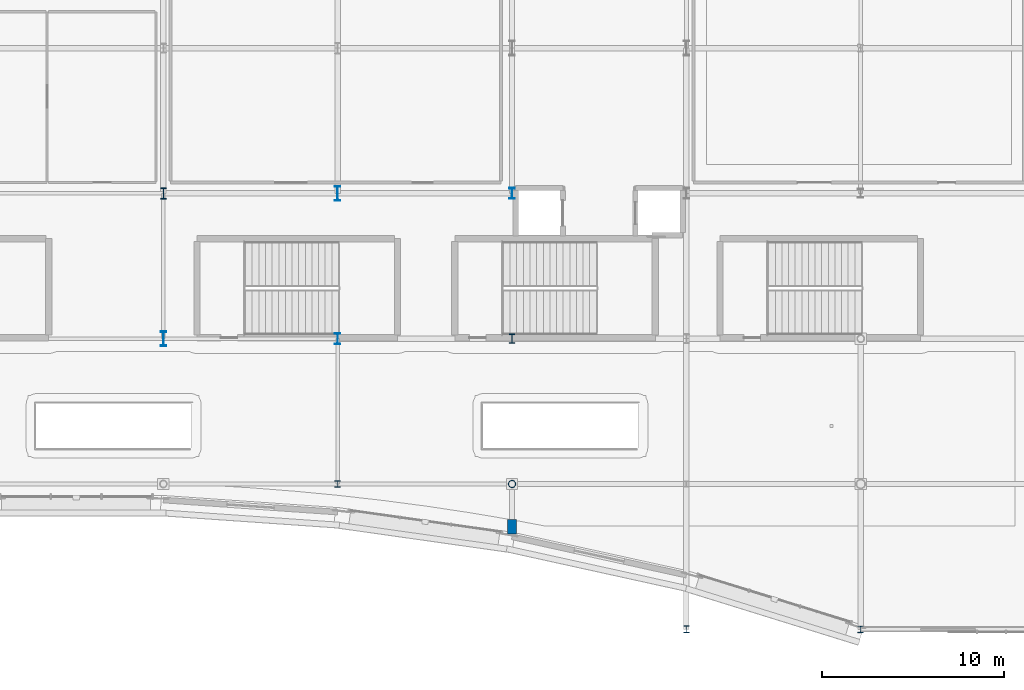
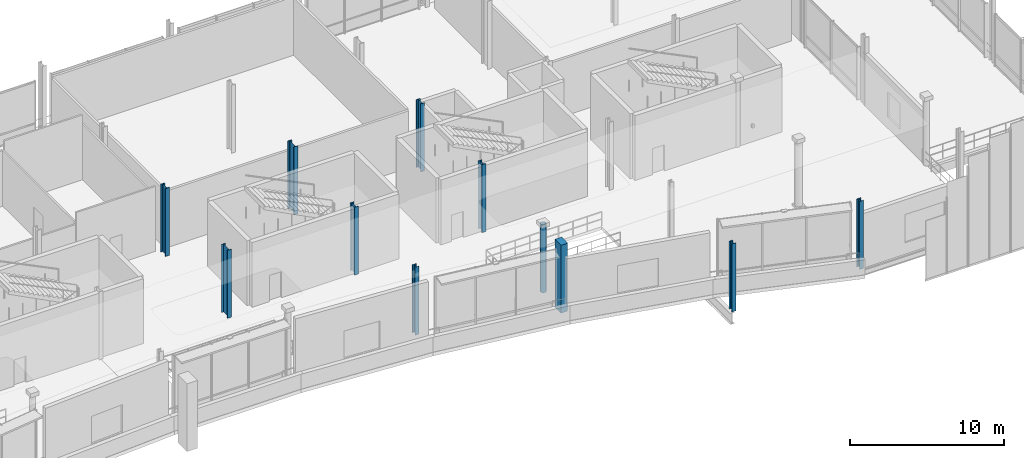
# One storey, part 5 of 129: 11 columns.
"""IFC4 building model written with IfcOpenShell, lengths in metres."""

from ifc_helpers import new_model, si_unit, direction, frame, origin, origin_2d, place, context, subcontext, project, spatial, rectangle, hollow_circle, i_section, extrude, material, material_profile, profile_set, type_object, element, save


model = new_model("IFC4")

# Units and contexts
model_context = context("Model", 3, precision=1e-05, world=origin(), true_north=direction((0.0, 1.0)))
body_context = subcontext(model_context, "Body", "Model", "MODEL_VIEW")
ifc_project = project(units=[si_unit("LENGTHUNIT", "METRE"), si_unit("AREAUNIT", "SQUARE_METRE"), si_unit("VOLUMEUNIT", "CUBIC_METRE"), si_unit("PLANEANGLEUNIT", "RADIAN"), si_unit("MASSUNIT", "GRAM", prefix="KILO")], contexts=[model_context])

# Site, building, storey
site_placement = place(None, origin())
site = spatial("IfcSite", under=ifc_project, at=site_placement, CompositionType="ELEMENT")
building_placement = place(site_placement, origin())
building = spatial("IfcBuilding", under=site, at=building_placement, Name="Danafjord Basin Convention Centre", CompositionType="ELEMENT")
storey_placement = place(building_placement, frame((0.0, 0.0, 6.0)))
storey = spatial("IfcBuildingStorey", under=building, at=storey_placement, Name="L01", CompositionType="ELEMENT", Elevation=6.0)

# Columns
ifc_material_1 = material(Name="Steel S355", Category="steel")
ifc_material_profile_1 = material_profile(ifc_material_1, hollow_circle(Radius=0.203125, WallThickness=0.02001953125, at=origin_2d()), Name="CHS 406.4x20.0")
ifc_profile_set_1 = profile_set([ifc_material_profile_1], Name="Steel S355")
column_type_1 = type_object("IfcColumnType", Name="COL-C-CHS406", PredefinedType="COLUMN", material=ifc_profile_set_1)
column_1_placement = place(storey_placement, frame((86.39990234375, 8.0, 0.0), z_axis=(0.0, 0.0, 1.0), x_axis=(1.0, 0.0, 0.0)))
element("IfcColumn", 1, at=column_1_placement, inside=storey, type_object=column_type_1, Name="L01 column C-CHS406 at (86.4, 8.0)", PredefinedType="COLUMN", context=body_context, shape_type="SweptSolid", body=[
    extrude(hollow_circle(Radius=0.203125, WallThickness=0.02001953125, at=origin_2d()), origin(), (0.0, 0.0, 1.0), 5.39990234375),
])
ifc_material_profile_2 = material_profile(ifc_material_1, i_section(OverallWidth=0.300048828125, OverallDepth=0.360107421875, WebThickness=0.012451171875, FlangeThickness=0.0224609375, FilletRadius=0.027099609375, at=origin_2d()), Name="HEB 360")
ifc_profile_set_2 = profile_set([ifc_material_profile_2], Name="Steel S355")
column_type_2 = type_object("IfcColumnType", Name="COL-C-HEB360", PredefinedType="COLUMN", material=ifc_profile_set_2)
for number, where, z_axis, x_axis, name in (
    (2, (76.800048828125, 8.0, 0.0), (0.0, 0.0, 1.0), (1.0, 0.0, 0.0), "L01 column C-HEB360 at (76.8, 8.0)"),
    (3, (105.60009765625, 0.0, 0.0), (0.0, 0.0, 1.0), (1.0, 0.0, 0.0), "L01 column C-HEB360 at (105.6, 0.0)"),
):
    element("IfcColumn", number, at=place(storey_placement, frame(where, z_axis=z_axis, x_axis=x_axis)), inside=storey, type_object=column_type_2, Name=name, PredefinedType="COLUMN", context=body_context, shape_type="SweptSolid", body=[
        extrude(i_section(OverallWidth=0.300048828125, OverallDepth=0.360107421875, WebThickness=0.012451171875, FlangeThickness=0.0224609375, FilletRadius=0.027099609375, at=origin_2d()), origin(), (0.0, 0.0, 1.0), 5.39990234375),
    ])
ifc_material_profile_3 = material_profile(ifc_material_1, i_section(OverallWidth=0.300048828125, OverallDepth=0.39990234375, WebThickness=0.013427734375, FlangeThickness=0.02392578125, FilletRadius=0.027099609375, at=origin_2d()), Name="HEB 400")
ifc_profile_set_3 = profile_set([ifc_material_profile_3], Name="Steel S355")
column_type_3 = type_object("IfcColumnType", Name="COL-C-HEB400", PredefinedType="COLUMN", material=ifc_profile_set_3)
column_2_placement = place(storey_placement, frame((96.0, 0.0, 0.0), z_axis=(0.0, 0.0, 1.0), x_axis=(1.0, 0.0, 0.0)))
element("IfcColumn", 4, at=column_2_placement, inside=storey, type_object=column_type_3, Name="L01 column C-HEB400 at (96.0, 0.0)", PredefinedType="COLUMN", context=body_context, shape_type="SweptSolid", body=[
    extrude(i_section(OverallWidth=0.300048828125, OverallDepth=0.39990234375, WebThickness=0.013427734375, FlangeThickness=0.02392578125, FilletRadius=0.027099609375, at=origin_2d()), origin(), (0.0, 0.0, 1.0), 5.39990234375),
])
ifc_material_profile_4 = material_profile(ifc_material_1, i_section(OverallWidth=0.300048828125, OverallDepth=0.60009765625, WebThickness=0.015380859375, FlangeThickness=0.030029296875, FilletRadius=0.027099609375, at=origin_2d()), Name="HEB 600")
ifc_profile_set_4 = profile_set([ifc_material_profile_4], Name="Steel S355")
column_type_4 = type_object("IfcColumnType", Name="COL-C-HEB600", PredefinedType="COLUMN", material=ifc_profile_set_4)
for number, where, z_axis, x_axis, name in (
    (5, (76.800048828125, 16.0, 0.0), (0.0, 0.0, 1.0), (1.0, 0.0, 0.0), "L01 column C-HEB600 at (76.8, 16.0)"),
    (6, (86.39990234375, 24.0, 0.0), (0.0, 0.0, 1.0), (1.0, 0.0, 0.0), "L01 column C-HEB600 at (86.4, 24.0)"),
):
    element("IfcColumn", number, at=place(storey_placement, frame(where, z_axis=z_axis, x_axis=x_axis)), inside=storey, type_object=column_type_4, Name=name, PredefinedType="COLUMN", context=body_context, shape_type="SweptSolid", body=[
        extrude(i_section(OverallWidth=0.300048828125, OverallDepth=0.60009765625, WebThickness=0.015380859375, FlangeThickness=0.030029296875, FilletRadius=0.027099609375, at=origin_2d()), origin(), (0.0, 0.0, 1.0), 5.39990234375),
    ])
ifc_material_profile_5 = material_profile(ifc_material_1, i_section(OverallWidth=0.305908203125, OverallDepth=0.52392578125, WebThickness=0.02099609375, FlangeThickness=0.0400390625, FilletRadius=0.027099609375, at=origin_2d()), Name="HEM 500")
ifc_profile_set_5 = profile_set([ifc_material_profile_5], Name="Steel S355")
column_type_5 = type_object("IfcColumnType", Name="COL-C-HEM500", PredefinedType="COLUMN", material=ifc_profile_set_5)
column_3_placement = place(storey_placement, frame((86.39990234375, 16.0, 0.0), z_axis=(0.0, 0.0, 1.0), x_axis=(1.0, 0.0, 0.0)))
element("IfcColumn", 7, at=column_3_placement, inside=storey, type_object=column_type_5, Name="L01 column C-HEM500 at (86.4, 16.0)", PredefinedType="COLUMN", context=body_context, shape_type="SweptSolid", body=[
    extrude(i_section(OverallWidth=0.305908203125, OverallDepth=0.52392578125, WebThickness=0.02099609375, FlangeThickness=0.0400390625, FilletRadius=0.027099609375, at=origin_2d()), origin(), (0.0, 0.0, 1.0), 5.39990234375),
])
ifc_material_profile_6 = material_profile(ifc_material_1, i_section(OverallWidth=0.304931640625, OverallDepth=0.6201171875, WebThickness=0.02099609375, FlangeThickness=0.0400390625, FilletRadius=0.027099609375, at=origin_2d()), Name="HEM 600")
ifc_profile_set_6 = profile_set([ifc_material_profile_6], Name="Steel S355")
column_type_6 = type_object("IfcColumnType", Name="COL-C-HEM600", PredefinedType="COLUMN", material=ifc_profile_set_6)
column_4_placement = place(storey_placement, frame((67.199951171875, 24.0, 0.0), z_axis=(0.0, 0.0, 1.0), x_axis=(1.0, 0.0, 0.0)))
element("IfcColumn", 8, at=column_4_placement, inside=storey, type_object=column_type_6, Name="L01 column C-HEM600 at (67.2, 24.0)", PredefinedType="COLUMN", context=body_context, shape_type="SweptSolid", body=[
    extrude(i_section(OverallWidth=0.304931640625, OverallDepth=0.6201171875, WebThickness=0.02099609375, FlangeThickness=0.0400390625, FilletRadius=0.027099609375, at=origin_2d()), origin(), (0.0, 0.0, 1.0), 5.39990234375),
])
ifc_material_profile_7 = material_profile(ifc_material_1, i_section(OverallWidth=0.302978515625, OverallDepth=0.81396484375, WebThickness=0.02099609375, FlangeThickness=0.0400390625, FilletRadius=0.030029296875, at=origin_2d()), Name="HEM 800")
ifc_profile_set_7 = profile_set([ifc_material_profile_7], Name="Steel S355")
column_type_7 = type_object("IfcColumnType", Name="COL-C-HEM800", PredefinedType="COLUMN", material=ifc_profile_set_7)
for number, where, z_axis, x_axis, name in (
    (9, (67.199951171875, 16.0, 0.0), (0.0, 0.0, 1.0), (1.0, 0.0, 0.0), "L01 column C-HEM800 at (67.2, 16.0)"),
    (10, (76.800048828125, 24.0, 0.0), (0.0, 0.0, 1.0), (1.0, 0.0, 0.0), "L01 column C-HEM800 at (76.8, 24.0)"),
):
    element("IfcColumn", number, at=place(storey_placement, frame(where, z_axis=z_axis, x_axis=x_axis)), inside=storey, type_object=column_type_7, Name=name, PredefinedType="COLUMN", context=body_context, shape_type="SweptSolid", body=[
        extrude(i_section(OverallWidth=0.302978515625, OverallDepth=0.81396484375, WebThickness=0.02099609375, FlangeThickness=0.0400390625, FilletRadius=0.030029296875, at=origin_2d()), origin(), (0.0, 0.0, 1.0), 5.39990234375),
    ])
ifc_material_2 = material(Name="Precast concrete C45/55", Category="concrete")
ifc_material_profile_8 = material_profile(ifc_material_2, rectangle(XDim=0.5, YDim=0.800048828125, at=origin_2d()), Name="PCB 500x800")
ifc_profile_set_8 = profile_set([ifc_material_profile_8], Name="Precast concrete C45/55")
column_type_8 = type_object("IfcColumnType", Name="COL-C-PIL800", PredefinedType="PILASTER", material=ifc_profile_set_8)
column_5_placement = place(storey_placement, frame((86.39990234375, 5.64306640625, 0.0), z_axis=(0.0, 0.0, 1.0), x_axis=(1.0, 0.0, 0.0)))
element("IfcColumn", 11, at=column_5_placement, inside=storey, type_object=column_type_8, Name="L01 column C-PIL800 at (86.4, 5.6)", PredefinedType="PILASTER", context=body_context, shape_type="SweptSolid", body=[
    extrude(rectangle(XDim=0.5, YDim=0.800048828125, at=origin_2d()), origin(), (0.0, 0.0, 1.0), 5.39990234375),
])

save(model, "model.ifc")
